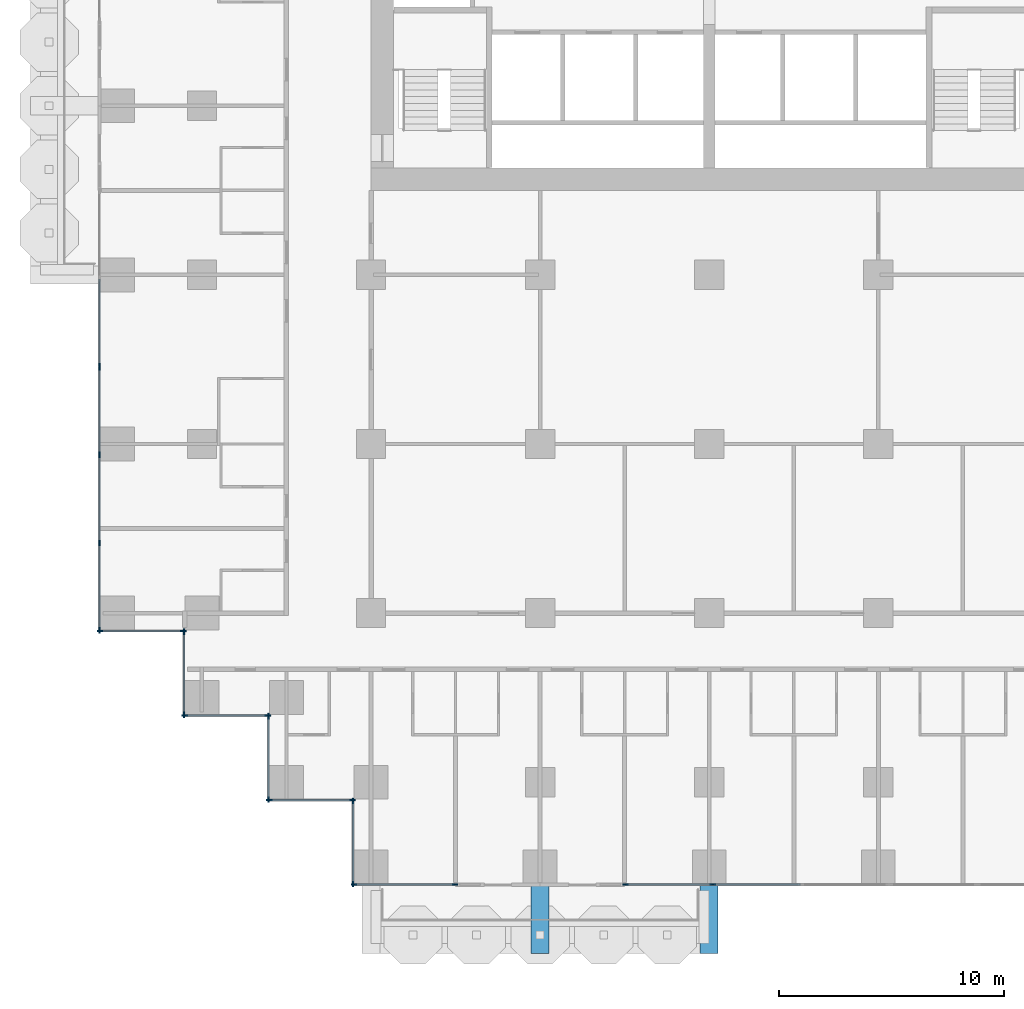
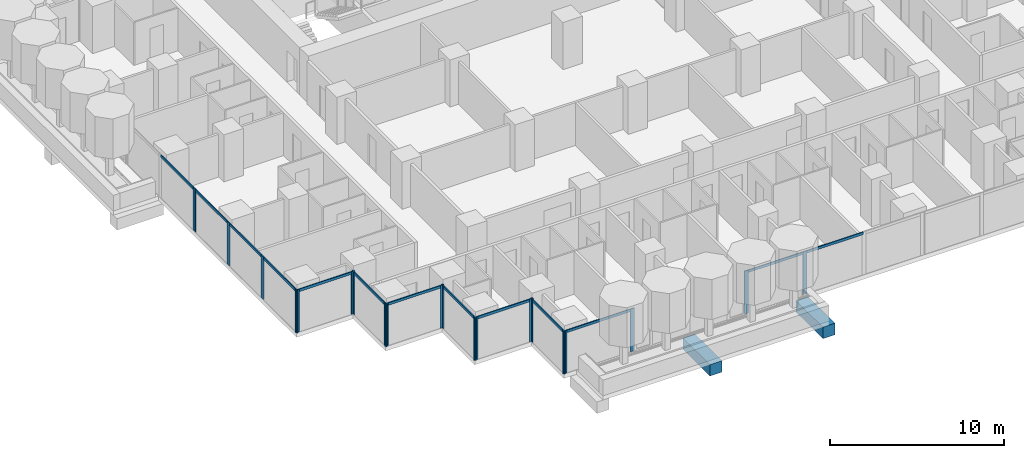
# One storey, part 2 of 19: 34 members, 2 beams, 10 elements without a shape of their own.
"""IFC4 building model written with IfcOpenShell, lengths in metres."""

import ifcopenshell
import ifcopenshell.guid

model = None  # the IFC model being written
_history = None  # IfcOwnerHistory: only IFC2X3 demands one
_inside = {}  # id of a spatial element -> (the spatial element, [elements in it])
_under = {}  # id of a project, library or spatial element -> (it, [spatial elements below it])
_declared = {}  # id of a project -> (the project, [libraries it declares])
_typed = {}  # id of a type object -> (the type object, [elements of that type])
_made_of = {}  # id of a material, layer set ... -> (it, [elements and type objects made of it])


def new_model(schema):
    """Start an empty IFC model of exactly this schema.

    Asked for "IFC4X3", IfcOpenShell would pick the latest addendum, in which some entities
    have other attributes; the version numbers below select the first issue.
    IFC2X3 requires an IfcOwnerHistory on every rooted entity: one is made here for all.
    """
    global model, _history
    if schema == "IFC4X3":
        model = ifcopenshell.file(schema_version=(4, 3, 0, 0))
    else:
        model = ifcopenshell.file(schema=schema)
    _inside.clear()
    _under.clear()
    _declared.clear()
    _typed.clear()
    _made_of.clear()
    _history = None
    if model.schema == "IFC2X3":
        org = make("IfcOrganization", Name="unknown")
        user = make(
            "IfcPersonAndOrganization",
            ThePerson=make("IfcPerson", FamilyName="unknown"),
            TheOrganization=org,
        )
        app = make(
            "IfcApplication",
            ApplicationDeveloper=org,
            Version="unknown",
            ApplicationFullName="unknown",
            ApplicationIdentifier="unknown",
        )
        _history = make(
            "IfcOwnerHistory",
            OwningUser=user,
            OwningApplication=app,
            ChangeAction="ADDED",
            CreationDate=0,
        )
    return model


def make(cls, **values):
    """One entity of the class cls with the attributes given. An attribute that is None is left unset."""
    return model.create_entity(
        cls, **{name: value for name, value in values.items() if value is not None}
    )


def rooted(cls, **values):
    """An entity with a GlobalId (a new one), such as an element, a storey or a relation."""
    return make(cls, GlobalId=ifcopenshell.guid.new(), OwnerHistory=_history, **values)


def si_unit(unit_type, name, prefix=None):
    """IfcSIUnit, for example si_unit("LENGTHUNIT", "METRE", prefix="MILLI")."""
    return make("IfcSIUnit", UnitType=unit_type, Prefix=prefix, Name=name)


def assignment(units):
    """IfcUnitAssignment: the units of a project."""
    return None if units is None else make("IfcUnitAssignment", Units=units)


def point(xyz):
    """IfcCartesianPoint."""
    return None if xyz is None else make("IfcCartesianPoint", Coordinates=xyz)


def direction(xyz):
    """IfcDirection."""
    return None if xyz is None else make("IfcDirection", DirectionRatios=xyz)


def frame(location, z_axis=None, x_axis=None):
    """IfcAxis2Placement3D, a coordinate frame: its origin and axes. An axis left out is left unset."""
    return make(
        "IfcAxis2Placement3D",
        Location=point(location),
        Axis=direction(z_axis),
        RefDirection=direction(x_axis),
    )


def frame_2d(location, x_axis=None):
    """IfcAxis2Placement2D, a coordinate frame in the plane: its origin and x axis."""
    return make(
        "IfcAxis2Placement2D", Location=point(location), RefDirection=direction(x_axis)
    )


def origin():
    """The frame at (0, 0, 0) with its axes left unset."""
    return frame((0.0, 0.0, 0.0))


def origin_2d():
    """The frame at (0, 0) in the plane with its x axis left unset."""
    return frame_2d((0.0, 0.0))


def place(relative_to, where):
    """IfcLocalPlacement: puts the frame where relative to a parent placement (None: the world)."""
    return make(
        "IfcLocalPlacement", PlacementRelTo=relative_to, RelativePlacement=where
    )


def context(
    kind, dimensions, precision=None, world=None, true_north=None, identifier=None
):
    """IfcGeometricRepresentationContext, for example the 3D "Model" context."""
    return make(
        "IfcGeometricRepresentationContext",
        ContextIdentifier=identifier,
        ContextType=kind,
        CoordinateSpaceDimension=dimensions,
        Precision=precision,
        WorldCoordinateSystem=world,
        TrueNorth=true_north,
    )


def subcontext(parent, identifier, kind, view, scale=None):
    """IfcGeometricRepresentationSubContext, for example "Body" below "Model"."""
    return make(
        "IfcGeometricRepresentationSubContext",
        ContextIdentifier=identifier,
        ContextType=kind,
        ParentContext=parent,
        TargetScale=scale,
        TargetView=view,
    )


def project(units=None, contexts=None):
    """IfcProject with its units and contexts."""
    return rooted(
        "IfcProject",
        Name="project",
        RepresentationContexts=contexts,
        UnitsInContext=assignment(units),
    )


def spatial(cls, under=None, at=None, **own):
    """A site, building, storey or space (cls), placed at a placement, below another one or the project."""
    s = rooted(cls, ObjectPlacement=at, **own)
    if under is not None:
        _under.setdefault(under.id(), (under, []))[1].append(s)
    return s


def profile(cls, at=None, kind="AREA", **sizes):
    """A parametric profile (cls). Its sizes go by their IFC names, for example OverallWidth=200.0."""
    return make(cls, ProfileType=kind, Position=at, **sizes)


def rectangle(**sizes):
    """IfcRectangleProfileDef."""
    return profile("IfcRectangleProfileDef", **sizes)


def extrude(swept, where, along, depth):
    """IfcExtrudedAreaSolid: the profile swept, set in the frame where, extruded along a direction by depth."""
    return make(
        "IfcExtrudedAreaSolid",
        SweptArea=swept,
        Position=where,
        ExtrudedDirection=direction(along),
        Depth=depth,
    )


def shape(context_of_items, identifier, shape_type, items):
    """IfcShapeRepresentation: the items that make up one representation, for example the "Body"."""
    return make(
        "IfcShapeRepresentation",
        ContextOfItems=context_of_items,
        RepresentationIdentifier=identifier,
        RepresentationType=shape_type,
        Items=items,
    )


def material(Name=None, Category=None):
    """IfcMaterial."""
    return make("IfcMaterial", Name=Name, Category=Category)


def material_profile(
    of_material, cross_section, Name=None, Category=None, Priority=None
):
    """IfcMaterialProfile: a cross section and its material."""
    return make(
        "IfcMaterialProfile",
        Name=Name,
        Material=of_material,
        Profile=cross_section,
        Priority=Priority,
        Category=Category,
    )


def profile_set(profiles, Name=None, composite=None):
    """IfcMaterialProfileSet."""
    return make(
        "IfcMaterialProfileSet",
        Name=Name,
        MaterialProfiles=profiles,
        CompositeProfile=composite,
    )


def made_of(thing, what):
    """Note that an element or type object is made of a material, layer set ...; save() writes the relation."""
    if what is not None:
        _made_of.setdefault(what.id(), (what, []))[1].append(thing)
    return thing


def type_object(cls, material=None, **own):
    """A type object (cls), such as IfcWallType, which elements share."""
    return made_of(rooted(cls, **own), material)


def element(
    cls,
    number,
    at=None,
    inside=None,
    cuts=None,
    type_object=None,
    material=None,
    context=None,
    identifier="Body",
    shape_type=None,
    held_by="IfcProductDefinitionShape",
    body=None,
    shapes=None,
    **own,
):
    """One element of the class cls, such as IfcWall. Its Tag is "e" and its number.

    at: its placement. inside: the storey or other place that contains it. cuts: it is an
    opening in that element (IfcRelVoidsElement). A single representation is given by context,
    identifier, shape_type and body (its items); several are given by shapes. held_by: the class
    of the entity that holds the representations. save() writes the other relations.
    """
    e = rooted(cls, Tag="e%d" % number, ObjectPlacement=at, **own)
    if body is not None:
        shapes = [shape(context, identifier, shape_type, body)]
    if shapes is not None:
        e.Representation = make(held_by, Representations=shapes)
    if inside is not None:
        _inside.setdefault(inside.id(), (inside, []))[1].append(e)
    if cuts is not None:
        rooted(
            "IfcRelVoidsElement", RelatingBuildingElement=cuts, RelatedOpeningElement=e
        )
    if type_object is not None:
        _typed.setdefault(type_object.id(), (type_object, []))[1].append(e)
    return made_of(e, material)


def aggregate(whole, parts):
    """IfcRelAggregates: a whole, such as a stair, and the parts it consists of."""
    return rooted("IfcRelAggregates", RelatingObject=whole, RelatedObjects=parts)


def save(model, path):
    """Write the relations noted so far, then the file.

    IfcRelAggregates (storeys below a building ...), IfcRelContainedInSpatialStructure (elements
    in a storey), IfcRelDefinesByType, IfcRelAssociatesMaterial and IfcRelDeclares: one each for
    every whole, place, type object, material and project.
    """
    for whole, parts in _under.values():
        aggregate(whole, parts)
    for where, things in _inside.values():
        rooted(
            "IfcRelContainedInSpatialStructure",
            RelatedElements=things,
            RelatingStructure=where,
        )
    for kind, things in _typed.values():
        rooted("IfcRelDefinesByType", RelatedObjects=things, RelatingType=kind)
    for what, things in _made_of.values():
        rooted("IfcRelAssociatesMaterial", RelatedObjects=things, RelatingMaterial=what)
    for by, libraries in _declared.values():
        rooted("IfcRelDeclares", RelatingContext=by, RelatedDefinitions=libraries)
    model.write(path)


model = new_model("IFC4")

# Units and contexts
model_context = context("Model", 3, precision=1e-05, world=origin(), true_north=direction((0.0, 1.0)))
body_context = subcontext(model_context, "Body", "Model", "MODEL_VIEW")
ifc_project = project(units=[si_unit("LENGTHUNIT", "METRE"), si_unit("AREAUNIT", "SQUARE_METRE"), si_unit("VOLUMEUNIT", "CUBIC_METRE"), si_unit("PLANEANGLEUNIT", "RADIAN"), si_unit("MASSUNIT", "GRAM", prefix="KILO")], contexts=[model_context])

# Site, building, storey
site_placement = place(None, origin())
site = spatial("IfcSite", under=ifc_project, at=site_placement, CompositionType="ELEMENT")
building_placement = place(site_placement, origin())
building = spatial("IfcBuilding", under=site, at=building_placement, Name="Pilkhan Gate Tower", CompositionType="ELEMENT")
storey_placement = place(building_placement, frame((0.0, 0.0, 95.60009765625)))
storey = spatial("IfcBuildingStorey", under=building, at=storey_placement, Name="L23", CompositionType="ELEMENT", Elevation=95.60009765625)

# Beams
ifc_material_1 = material(Name="Concrete C50/60", Category="concrete")
ifc_material_profile_1 = material_profile(ifc_material_1, rectangle(XDim=0.800048828125, YDim=0.800048828125, at=origin_2d()), Name="RC 800x800")
ifc_profile_set_1 = profile_set([ifc_material_profile_1], Name="Concrete C50/60")
beam_type = type_object("IfcBeamType", Name="Cantilever beam CB2 RC 800x800 C50/60", PredefinedType="BEAM", material=ifc_profile_set_1)
for number, where, z_axis, x_axis, name in (
    (1, (67.5, 40.5, -0.7001953125), (0.0, -1.0, 0.0), (1.0, 0.0, 0.0), "Balcony beam S.2 L23"),
    (2, (75.0, 40.5, -0.7001953125), (0.0, -1.0, 0.0), (1.0, 0.0, 0.0), "Balcony beam S.3 L23"),
):
    element("IfcBeam", number, at=place(storey_placement, frame(where, z_axis=z_axis, x_axis=x_axis)), inside=storey, type_object=beam_type, Name=name, PredefinedType="BEAM", context=body_context, shape_type="SweptSolid", body=[
        extrude(rectangle(XDim=0.800048828125, YDim=0.800048828125, at=origin_2d()), origin(), (0.0, 0.0, 1.0), 3.10009765625),
    ])

# Curtain wall, members
ifc_material_2 = material(Name="Pale anodised aluminium, clear low-iron double glazing", Category="aluminium")
curtain_wall_type = type_object("IfcCurtainWallType", Name="Hotel unitised curtain wall CW-H", PredefinedType="USERDEFINED", material=ifc_material_2)
curtain_wall_1_placement = place(storey_placement, origin())
curtain_wall_1 = element("IfcCurtainWall", 3, at=curtain_wall_1_placement, inside=storey, type_object=curtain_wall_type, Name="Hotel unitised curtain wall CW-H L23 W", ObjectType="UNITISED CURTAIN WALL", PredefinedType="USERDEFINED")
ifc_material_3 = material(Name="Pale anodised aluminium", Category="aluminium")
ifc_material_profile_2 = material_profile(ifc_material_3, rectangle(XDim=0.06494140625, YDim=0.25, at=origin_2d()), Name="Mullion 250x65")
ifc_profile_set_2 = profile_set([ifc_material_profile_2], Name="Pale anodised aluminium")
member_type_1 = type_object("IfcMemberType", Name="Mullion CW-H 250x65", PredefinedType="MULLION", material=ifc_profile_set_2)
member_1_placement = place(storey_placement, frame((47.955078125, 51.737548828125, 0.0), z_axis=(0.0, 0.0, 1.0), x_axis=(-1.0, 0.0, 0.0)))
member_1 = element("IfcMember", 4, at=member_1_placement, type_object=member_type_1, Name="CW-H mullion 1", PredefinedType="MULLION", context=body_context, shape_type="SweptSolid", body=[
    extrude(rectangle(XDim=0.06494140625, YDim=0.25, at=origin_2d()), origin(), (0.0, 0.0, 1.0), 3.0),
])
member_2_placement = place(storey_placement, frame((47.955078125, 55.614013671875, 0.0), z_axis=(0.0, 0.0, 1.0), x_axis=(-1.0, 0.0, 0.0)))
member_2 = element("IfcMember", 5, at=member_2_placement, type_object=member_type_1, Name="CW-H mullion 2", PredefinedType="MULLION", context=body_context, shape_type="SweptSolid", body=[
    extrude(rectangle(XDim=0.06494140625, YDim=0.25, at=origin_2d()), origin(), (0.0, 0.0, 1.0), 3.0),
])
member_3_placement = place(storey_placement, frame((47.955078125, 59.52294921875, 0.0), z_axis=(0.0, 0.0, 1.0), x_axis=(-1.0, 0.0, 0.0)))
member_3 = element("IfcMember", 6, at=member_3_placement, type_object=member_type_1, Name="CW-H mullion 3", PredefinedType="MULLION", context=body_context, shape_type="SweptSolid", body=[
    extrude(rectangle(XDim=0.06494140625, YDim=0.25, at=origin_2d()), origin(), (0.0, 0.0, 1.0), 3.0),
])
member_4_placement = place(storey_placement, frame((47.955078125, 63.3994140625, 0.0), z_axis=(0.0, 0.0, 1.0), x_axis=(-1.0, 0.0, 0.0)))
member_4 = element("IfcMember", 7, at=member_4_placement, type_object=member_type_1, Name="CW-H mullion 4", PredefinedType="MULLION", context=body_context, shape_type="SweptSolid", body=[
    extrude(rectangle(XDim=0.06494140625, YDim=0.25, at=origin_2d()), origin(), (0.0, 0.0, 1.0), 3.0),
])

# Curtain wall, member
curtain_wall_2_placement = place(storey_placement, origin())
curtain_wall_2 = element("IfcCurtainWall", 8, at=curtain_wall_2_placement, inside=storey, type_object=curtain_wall_type, Name="Hotel unitised curtain wall CW-H L23 W", ObjectType="UNITISED CURTAIN WALL", PredefinedType="USERDEFINED")
member_5_placement = place(storey_placement, frame((47.955078125, 63.464599609375, 0.0), z_axis=(0.0, 0.0, 1.0), x_axis=(-1.0, 0.0, 0.0)))
member_5 = element("IfcMember", 9, at=member_5_placement, type_object=member_type_1, Name="CW-H mullion 1", PredefinedType="MULLION", context=body_context, shape_type="SweptSolid", body=[
    extrude(rectangle(XDim=0.06494140625, YDim=0.25, at=origin_2d()), origin(), (0.0, 0.0, 1.0), 3.0),
])

# Curtain wall, members
curtain_wall_3_placement = place(storey_placement, origin())
curtain_wall_3 = element("IfcCurtainWall", 10, at=curtain_wall_3_placement, inside=storey, type_object=curtain_wall_type, Name="Hotel unitised curtain wall CW-H L23 S", ObjectType="UNITISED CURTAIN WALL", PredefinedType="USERDEFINED")
member_6_placement = place(storey_placement, frame((47.987548828125, 51.705078125, 0.0), z_axis=(0.0, 0.0, 1.0), x_axis=(0.0, 1.0, 0.0)))
member_6 = element("IfcMember", 11, at=member_6_placement, type_object=member_type_1, Name="CW-H mullion 1", PredefinedType="MULLION", context=body_context, shape_type="SweptSolid", body=[
    extrude(rectangle(XDim=0.06494140625, YDim=0.25, at=origin_2d()), origin(), (0.0, 0.0, 1.0), 3.0),
])
member_7_placement = place(storey_placement, frame((51.672607421875, 51.705078125, 0.0), z_axis=(0.0, 0.0, 1.0), x_axis=(0.0, 1.0, 0.0)))
member_7 = element("IfcMember", 12, at=member_7_placement, type_object=member_type_1, Name="CW-H mullion 2", PredefinedType="MULLION", context=body_context, shape_type="SweptSolid", body=[
    extrude(rectangle(XDim=0.06494140625, YDim=0.25, at=origin_2d()), origin(), (0.0, 0.0, 1.0), 3.0),
])

curtain_wall_4_placement = place(storey_placement, origin())
curtain_wall_4 = element("IfcCurtainWall", 13, at=curtain_wall_4_placement, inside=storey, type_object=curtain_wall_type, Name="Hotel unitised curtain wall CW-H L23 W", ObjectType="UNITISED CURTAIN WALL", PredefinedType="USERDEFINED")
member_8_placement = place(storey_placement, frame((51.705078125, 47.987548828125, 0.0), z_axis=(0.0, 0.0, 1.0), x_axis=(-1.0, 0.0, 0.0)))
member_8 = element("IfcMember", 14, at=member_8_placement, type_object=member_type_1, Name="CW-H mullion 1", PredefinedType="MULLION", context=body_context, shape_type="SweptSolid", body=[
    extrude(rectangle(XDim=0.06494140625, YDim=0.25, at=origin_2d()), origin(), (0.0, 0.0, 1.0), 3.0),
])
member_9_placement = place(storey_placement, frame((51.705078125, 51.672607421875, 0.0), z_axis=(0.0, 0.0, 1.0), x_axis=(-1.0, 0.0, 0.0)))
member_9 = element("IfcMember", 15, at=member_9_placement, type_object=member_type_1, Name="CW-H mullion 2", PredefinedType="MULLION", context=body_context, shape_type="SweptSolid", body=[
    extrude(rectangle(XDim=0.06494140625, YDim=0.25, at=origin_2d()), origin(), (0.0, 0.0, 1.0), 3.0),
])

curtain_wall_5_placement = place(storey_placement, origin())
curtain_wall_5 = element("IfcCurtainWall", 16, at=curtain_wall_5_placement, inside=storey, type_object=curtain_wall_type, Name="Hotel unitised curtain wall CW-H L23 S", ObjectType="UNITISED CURTAIN WALL", PredefinedType="USERDEFINED")
member_10_placement = place(storey_placement, frame((51.737548828125, 47.955078125, 0.0), z_axis=(0.0, 0.0, 1.0), x_axis=(0.0, 1.0, 0.0)))
member_10 = element("IfcMember", 17, at=member_10_placement, type_object=member_type_1, Name="CW-H mullion 1", PredefinedType="MULLION", context=body_context, shape_type="SweptSolid", body=[
    extrude(rectangle(XDim=0.06494140625, YDim=0.25, at=origin_2d()), origin(), (0.0, 0.0, 1.0), 3.0),
])
member_11_placement = place(storey_placement, frame((55.422607421875, 47.955078125, 0.0), z_axis=(0.0, 0.0, 1.0), x_axis=(0.0, 1.0, 0.0)))
member_11 = element("IfcMember", 18, at=member_11_placement, type_object=member_type_1, Name="CW-H mullion 2", PredefinedType="MULLION", context=body_context, shape_type="SweptSolid", body=[
    extrude(rectangle(XDim=0.06494140625, YDim=0.25, at=origin_2d()), origin(), (0.0, 0.0, 1.0), 3.0),
])

curtain_wall_6_placement = place(storey_placement, origin())
curtain_wall_6 = element("IfcCurtainWall", 19, at=curtain_wall_6_placement, inside=storey, type_object=curtain_wall_type, Name="Hotel unitised curtain wall CW-H L23 W", ObjectType="UNITISED CURTAIN WALL", PredefinedType="USERDEFINED")
member_12_placement = place(storey_placement, frame((55.455078125, 44.237548828125, 0.0), z_axis=(0.0, 0.0, 1.0), x_axis=(-1.0, 0.0, 0.0)))
member_12 = element("IfcMember", 20, at=member_12_placement, type_object=member_type_1, Name="CW-H mullion 1", PredefinedType="MULLION", context=body_context, shape_type="SweptSolid", body=[
    extrude(rectangle(XDim=0.06494140625, YDim=0.25, at=origin_2d()), origin(), (0.0, 0.0, 1.0), 3.0),
])
member_13_placement = place(storey_placement, frame((55.455078125, 47.922607421875, 0.0), z_axis=(0.0, 0.0, 1.0), x_axis=(-1.0, 0.0, 0.0)))
member_13 = element("IfcMember", 21, at=member_13_placement, type_object=member_type_1, Name="CW-H mullion 2", PredefinedType="MULLION", context=body_context, shape_type="SweptSolid", body=[
    extrude(rectangle(XDim=0.06494140625, YDim=0.25, at=origin_2d()), origin(), (0.0, 0.0, 1.0), 3.0),
])

curtain_wall_7_placement = place(storey_placement, origin())
curtain_wall_7 = element("IfcCurtainWall", 22, at=curtain_wall_7_placement, inside=storey, type_object=curtain_wall_type, Name="Hotel unitised curtain wall CW-H L23 S", ObjectType="UNITISED CURTAIN WALL", PredefinedType="USERDEFINED")
member_14_placement = place(storey_placement, frame((55.487548828125, 44.205078125, 0.0), z_axis=(0.0, 0.0, 1.0), x_axis=(0.0, 1.0, 0.0)))
member_14 = element("IfcMember", 23, at=member_14_placement, type_object=member_type_1, Name="CW-H mullion 1", PredefinedType="MULLION", context=body_context, shape_type="SweptSolid", body=[
    extrude(rectangle(XDim=0.06494140625, YDim=0.25, at=origin_2d()), origin(), (0.0, 0.0, 1.0), 3.0),
])
member_15_placement = place(storey_placement, frame((59.172607421875, 44.205078125, 0.0), z_axis=(0.0, 0.0, 1.0), x_axis=(0.0, 1.0, 0.0)))
member_15 = element("IfcMember", 24, at=member_15_placement, type_object=member_type_1, Name="CW-H mullion 2", PredefinedType="MULLION", context=body_context, shape_type="SweptSolid", body=[
    extrude(rectangle(XDim=0.06494140625, YDim=0.25, at=origin_2d()), origin(), (0.0, 0.0, 1.0), 3.0),
])

curtain_wall_8_placement = place(storey_placement, origin())
curtain_wall_8 = element("IfcCurtainWall", 25, at=curtain_wall_8_placement, inside=storey, type_object=curtain_wall_type, Name="Hotel unitised curtain wall CW-H L23 W", ObjectType="UNITISED CURTAIN WALL", PredefinedType="USERDEFINED")
member_16_placement = place(storey_placement, frame((59.205078125, 40.487548828125, 0.0), z_axis=(0.0, 0.0, 1.0), x_axis=(-1.0, 0.0, 0.0)))
member_16 = element("IfcMember", 26, at=member_16_placement, type_object=member_type_1, Name="CW-H mullion 1", PredefinedType="MULLION", context=body_context, shape_type="SweptSolid", body=[
    extrude(rectangle(XDim=0.06494140625, YDim=0.25, at=origin_2d()), origin(), (0.0, 0.0, 1.0), 3.0),
])
member_17_placement = place(storey_placement, frame((59.205078125, 44.172607421875, 0.0), z_axis=(0.0, 0.0, 1.0), x_axis=(-1.0, 0.0, 0.0)))
member_17 = element("IfcMember", 27, at=member_17_placement, type_object=member_type_1, Name="CW-H mullion 2", PredefinedType="MULLION", context=body_context, shape_type="SweptSolid", body=[
    extrude(rectangle(XDim=0.06494140625, YDim=0.25, at=origin_2d()), origin(), (0.0, 0.0, 1.0), 3.0),
])

curtain_wall_9_placement = place(storey_placement, origin())
curtain_wall_9 = element("IfcCurtainWall", 28, at=curtain_wall_9_placement, inside=storey, type_object=curtain_wall_type, Name="Hotel unitised curtain wall CW-H L23 S", ObjectType="UNITISED CURTAIN WALL", PredefinedType="USERDEFINED")
member_18_placement = place(storey_placement, frame((59.237548828125, 40.455078125, 0.0), z_axis=(0.0, 0.0, 1.0), x_axis=(0.0, 1.0, 0.0)))
member_18 = element("IfcMember", 29, at=member_18_placement, type_object=member_type_1, Name="CW-H mullion 1", PredefinedType="MULLION", context=body_context, shape_type="SweptSolid", body=[
    extrude(rectangle(XDim=0.06494140625, YDim=0.25, at=origin_2d()), origin(), (0.0, 0.0, 1.0), 3.0),
])
member_19_placement = place(storey_placement, frame((63.717529296875, 40.455078125, 0.0), z_axis=(0.0, 0.0, 1.0), x_axis=(0.0, 1.0, 0.0)))
member_19 = element("IfcMember", 30, at=member_19_placement, type_object=member_type_1, Name="CW-H mullion 2", PredefinedType="MULLION", context=body_context, shape_type="SweptSolid", body=[
    extrude(rectangle(XDim=0.06494140625, YDim=0.25, at=origin_2d()), origin(), (0.0, 0.0, 1.0), 3.0),
])

curtain_wall_10_placement = place(storey_placement, origin())
curtain_wall_10 = element("IfcCurtainWall", 31, at=curtain_wall_10_placement, inside=storey, type_object=curtain_wall_type, Name="Hotel unitised curtain wall CW-H L23 S", ObjectType="UNITISED CURTAIN WALL", PredefinedType="USERDEFINED")
member_20_placement = place(storey_placement, frame((71.282470703125, 40.455078125, 0.0), z_axis=(0.0, 0.0, 1.0), x_axis=(0.0, 1.0, 0.0)))
member_20 = element("IfcMember", 32, at=member_20_placement, type_object=member_type_1, Name="CW-H mullion 1", PredefinedType="MULLION", context=body_context, shape_type="SweptSolid", body=[
    extrude(rectangle(XDim=0.06494140625, YDim=0.25, at=origin_2d()), origin(), (0.0, 0.0, 1.0), 3.0),
])
member_21_placement = place(storey_placement, frame((75.158935546875, 40.455078125, 0.0), z_axis=(0.0, 0.0, 1.0), x_axis=(0.0, 1.0, 0.0)))
member_21 = element("IfcMember", 33, at=member_21_placement, type_object=member_type_1, Name="CW-H mullion 2", PredefinedType="MULLION", context=body_context, shape_type="SweptSolid", body=[
    extrude(rectangle(XDim=0.06494140625, YDim=0.25, at=origin_2d()), origin(), (0.0, 0.0, 1.0), 3.0),
])

# Member
ifc_material_profile_3 = material_profile(ifc_material_3, rectangle(XDim=0.06494140625, YDim=0.179931640625, at=origin_2d()), Name="Transom 180x65")
ifc_profile_set_3 = profile_set([ifc_material_profile_3], Name="Pale anodised aluminium")
member_type_2 = type_object("IfcMemberType", Name="Transom CW-H 180x65", PredefinedType="USERDEFINED", material=ifc_profile_set_3)
member_22_placement = place(storey_placement, frame((47.955078125, 51.77001953125, 2.909912109375), z_axis=(0.0, 1.0, 0.0), x_axis=(-1.0, 0.0, 0.0)))
member_22 = element("IfcMember", 34, at=member_22_placement, type_object=member_type_2, Name="CW-H transom 1", ObjectType="TRANSOM", PredefinedType="USERDEFINED", context=body_context, shape_type="SweptSolid", body=[
    extrude(rectangle(XDim=0.06494140625, YDim=0.179931640625, at=origin_2d()), origin(), (0.0, 0.0, 1.0), 3.8115234375),
])

member_23_placement = place(storey_placement, frame((47.955078125, 55.646484375, 2.909912109375), z_axis=(0.0, 1.0, 0.0), x_axis=(-1.0, 0.0, 0.0)))
member_23 = element("IfcMember", 35, at=member_23_placement, type_object=member_type_2, Name="CW-H transom 2", ObjectType="TRANSOM", PredefinedType="USERDEFINED", context=body_context, shape_type="SweptSolid", body=[
    extrude(rectangle(XDim=0.06494140625, YDim=0.179931640625, at=origin_2d()), origin(), (0.0, 0.0, 1.0), 3.843994140625),
])

member_24_placement = place(storey_placement, frame((47.955078125, 59.555419921875, 2.909912109375), z_axis=(0.0, 1.0, 0.0), x_axis=(-1.0, 0.0, 0.0)))
member_24 = element("IfcMember", 36, at=member_24_placement, type_object=member_type_2, Name="CW-H transom 3", ObjectType="TRANSOM", PredefinedType="USERDEFINED", context=body_context, shape_type="SweptSolid", body=[
    extrude(rectangle(XDim=0.06494140625, YDim=0.179931640625, at=origin_2d()), origin(), (0.0, 0.0, 1.0), 3.8115234375),
])

aggregate(curtain_wall_1, [member_1, member_2, member_3, member_4, member_22, member_23, member_24])

member_25_placement = place(storey_placement, frame((47.955078125, 63.4970703125, 2.909912109375), z_axis=(0.0, 1.0, 0.0), x_axis=(-1.0, 0.0, 0.0)))
member_25 = element("IfcMember", 37, at=member_25_placement, type_object=member_type_2, Name="CW-H transom 1", ObjectType="TRANSOM", PredefinedType="USERDEFINED", context=body_context, shape_type="SweptSolid", body=[
    extrude(rectangle(XDim=0.06494140625, YDim=0.179931640625, at=origin_2d()), origin(), (0.0, 0.0, 1.0), 3.8115234375),
])

aggregate(curtain_wall_2, [member_5, member_25])

member_26_placement = place(storey_placement, frame((48.02001953125, 51.705078125, 2.909912109375), z_axis=(1.0, 0.0, 0.0), x_axis=(0.0, 1.0, 0.0)))
member_26 = element("IfcMember", 38, at=member_26_placement, type_object=member_type_2, Name="CW-H transom 1", ObjectType="TRANSOM", PredefinedType="USERDEFINED", context=body_context, shape_type="SweptSolid", body=[
    extrude(rectangle(XDim=0.06494140625, YDim=0.179931640625, at=origin_2d()), origin(), (0.0, 0.0, 1.0), 3.619873046875),
])

aggregate(curtain_wall_3, [member_6, member_7, member_26])

member_27_placement = place(storey_placement, frame((51.705078125, 48.02001953125, 2.909912109375), z_axis=(0.0, 1.0, 0.0), x_axis=(-1.0, 0.0, 0.0)))
member_27 = element("IfcMember", 39, at=member_27_placement, type_object=member_type_2, Name="CW-H transom 1", ObjectType="TRANSOM", PredefinedType="USERDEFINED", context=body_context, shape_type="SweptSolid", body=[
    extrude(rectangle(XDim=0.06494140625, YDim=0.179931640625, at=origin_2d()), origin(), (0.0, 0.0, 1.0), 3.619873046875),
])

aggregate(curtain_wall_4, [member_8, member_9, member_27])

member_28_placement = place(storey_placement, frame((51.77001953125, 47.955078125, 2.909912109375), z_axis=(1.0, 0.0, 0.0), x_axis=(0.0, 1.0, 0.0)))
member_28 = element("IfcMember", 40, at=member_28_placement, type_object=member_type_2, Name="CW-H transom 1", ObjectType="TRANSOM", PredefinedType="USERDEFINED", context=body_context, shape_type="SweptSolid", body=[
    extrude(rectangle(XDim=0.06494140625, YDim=0.179931640625, at=origin_2d()), origin(), (0.0, 0.0, 1.0), 3.619873046875),
])

aggregate(curtain_wall_5, [member_10, member_11, member_28])

member_29_placement = place(storey_placement, frame((55.455078125, 44.27001953125, 2.909912109375), z_axis=(0.0, 1.0, 0.0), x_axis=(-1.0, 0.0, 0.0)))
member_29 = element("IfcMember", 41, at=member_29_placement, type_object=member_type_2, Name="CW-H transom 1", ObjectType="TRANSOM", PredefinedType="USERDEFINED", context=body_context, shape_type="SweptSolid", body=[
    extrude(rectangle(XDim=0.06494140625, YDim=0.179931640625, at=origin_2d()), origin(), (0.0, 0.0, 1.0), 3.619873046875),
])

aggregate(curtain_wall_6, [member_12, member_13, member_29])

member_30_placement = place(storey_placement, frame((55.52001953125, 44.205078125, 2.909912109375), z_axis=(1.0, 0.0, 0.0), x_axis=(0.0, 1.0, 0.0)))
member_30 = element("IfcMember", 42, at=member_30_placement, type_object=member_type_2, Name="CW-H transom 1", ObjectType="TRANSOM", PredefinedType="USERDEFINED", context=body_context, shape_type="SweptSolid", body=[
    extrude(rectangle(XDim=0.06494140625, YDim=0.179931640625, at=origin_2d()), origin(), (0.0, 0.0, 1.0), 3.619873046875),
])

aggregate(curtain_wall_7, [member_14, member_15, member_30])

member_31_placement = place(storey_placement, frame((59.205078125, 40.52001953125, 2.909912109375), z_axis=(0.0, 1.0, 0.0), x_axis=(-1.0, 0.0, 0.0)))
member_31 = element("IfcMember", 43, at=member_31_placement, type_object=member_type_2, Name="CW-H transom 1", ObjectType="TRANSOM", PredefinedType="USERDEFINED", context=body_context, shape_type="SweptSolid", body=[
    extrude(rectangle(XDim=0.06494140625, YDim=0.179931640625, at=origin_2d()), origin(), (0.0, 0.0, 1.0), 3.619873046875),
])

aggregate(curtain_wall_8, [member_16, member_17, member_31])

member_32_placement = place(storey_placement, frame((59.27001953125, 40.455078125, 2.909912109375), z_axis=(1.0, 0.0, 0.0), x_axis=(0.0, 1.0, 0.0)))
member_32 = element("IfcMember", 44, at=member_32_placement, type_object=member_type_2, Name="CW-H transom 1", ObjectType="TRANSOM", PredefinedType="USERDEFINED", context=body_context, shape_type="SweptSolid", body=[
    extrude(rectangle(XDim=0.06494140625, YDim=0.179931640625, at=origin_2d()), origin(), (0.0, 0.0, 1.0), 4.4150390625),
])

aggregate(curtain_wall_9, [member_18, member_19, member_32])

member_33_placement = place(storey_placement, frame((71.31494140625, 40.455078125, 2.909912109375), z_axis=(1.0, 0.0, 0.0), x_axis=(0.0, 1.0, 0.0)))
member_33 = element("IfcMember", 45, at=member_33_placement, type_object=member_type_2, Name="CW-H transom 1", ObjectType="TRANSOM", PredefinedType="USERDEFINED", context=body_context, shape_type="SweptSolid", body=[
    extrude(rectangle(XDim=0.06494140625, YDim=0.179931640625, at=origin_2d()), origin(), (0.0, 0.0, 1.0), 3.8115234375),
])

member_34_placement = place(storey_placement, frame((75.19140625, 40.455078125, 2.909912109375), z_axis=(1.0, 0.0, 0.0), x_axis=(0.0, 1.0, 0.0)))
member_34 = element("IfcMember", 46, at=member_34_placement, type_object=member_type_2, Name="CW-H transom 2", ObjectType="TRANSOM", PredefinedType="USERDEFINED", context=body_context, shape_type="SweptSolid", body=[
    extrude(rectangle(XDim=0.06494140625, YDim=0.179931640625, at=origin_2d()), origin(), (0.0, 0.0, 1.0), 3.843994140625),
])

aggregate(curtain_wall_10, [member_20, member_21, member_33, member_34])

save(model, "model.ifc")
